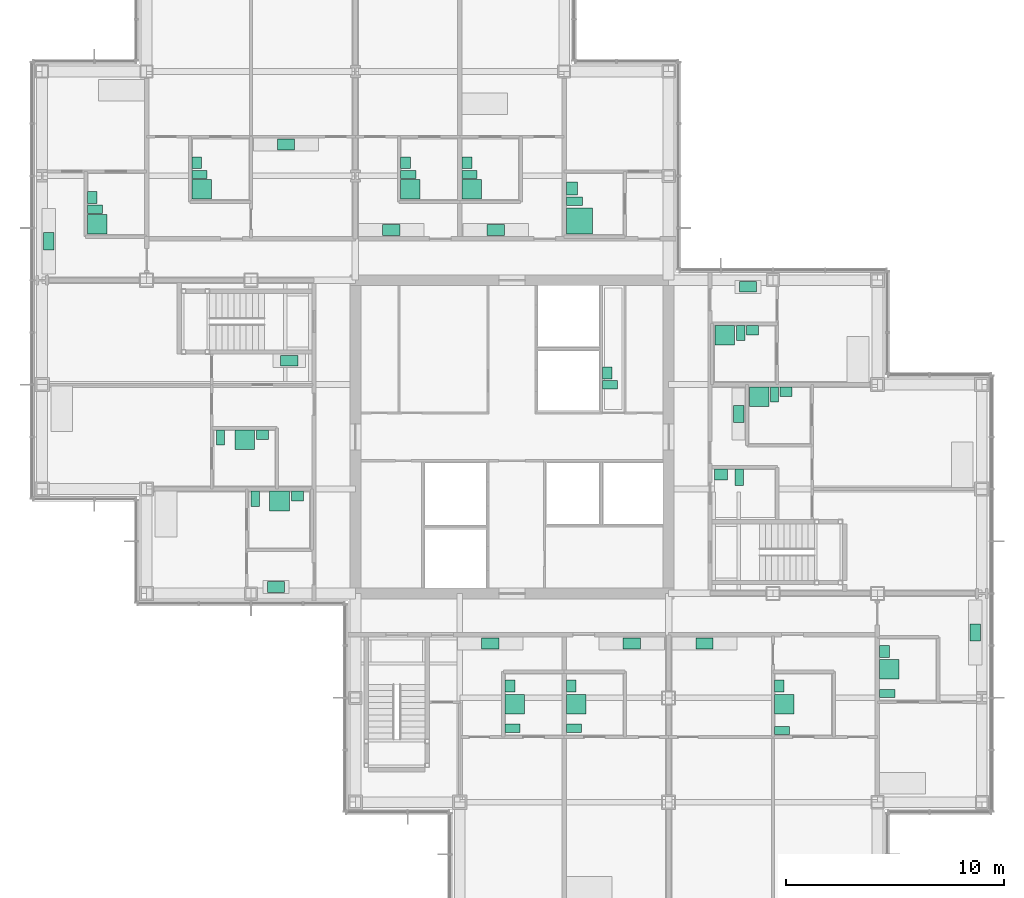
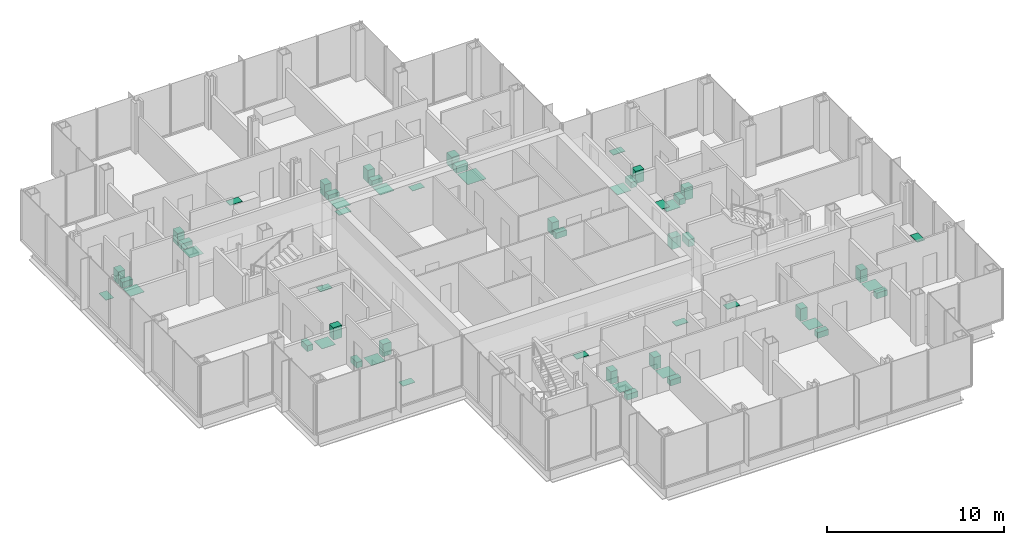
# One storey, part 18 of 19: 55 sanitary terminals.
"""IFC4 building model written with IfcOpenShell, lengths in metres."""

import ifcopenshell
import ifcopenshell.guid

model = None  # the IFC model being written
_history = None  # IfcOwnerHistory: only IFC2X3 demands one
_inside = {}  # id of a spatial element -> (the spatial element, [elements in it])
_under = {}  # id of a project, library or spatial element -> (it, [spatial elements below it])
_declared = {}  # id of a project -> (the project, [libraries it declares])
_typed = {}  # id of a type object -> (the type object, [elements of that type])
_made_of = {}  # id of a material, layer set ... -> (it, [elements and type objects made of it])


def new_model(schema):
    """Start an empty IFC model of exactly this schema.

    Asked for "IFC4X3", IfcOpenShell would pick the latest addendum, in which some entities
    have other attributes; the version numbers below select the first issue.
    IFC2X3 requires an IfcOwnerHistory on every rooted entity: one is made here for all.
    """
    global model, _history
    if schema == "IFC4X3":
        model = ifcopenshell.file(schema_version=(4, 3, 0, 0))
    else:
        model = ifcopenshell.file(schema=schema)
    _inside.clear()
    _under.clear()
    _declared.clear()
    _typed.clear()
    _made_of.clear()
    _history = None
    if model.schema == "IFC2X3":
        org = make("IfcOrganization", Name="unknown")
        user = make(
            "IfcPersonAndOrganization",
            ThePerson=make("IfcPerson", FamilyName="unknown"),
            TheOrganization=org,
        )
        app = make(
            "IfcApplication",
            ApplicationDeveloper=org,
            Version="unknown",
            ApplicationFullName="unknown",
            ApplicationIdentifier="unknown",
        )
        _history = make(
            "IfcOwnerHistory",
            OwningUser=user,
            OwningApplication=app,
            ChangeAction="ADDED",
            CreationDate=0,
        )
    return model


def make(cls, **values):
    """One entity of the class cls with the attributes given. An attribute that is None is left unset."""
    return model.create_entity(
        cls, **{name: value for name, value in values.items() if value is not None}
    )


def rooted(cls, **values):
    """An entity with a GlobalId (a new one), such as an element, a storey or a relation."""
    return make(cls, GlobalId=ifcopenshell.guid.new(), OwnerHistory=_history, **values)


def si_unit(unit_type, name, prefix=None):
    """IfcSIUnit, for example si_unit("LENGTHUNIT", "METRE", prefix="MILLI")."""
    return make("IfcSIUnit", UnitType=unit_type, Prefix=prefix, Name=name)


def assignment(units):
    """IfcUnitAssignment: the units of a project."""
    return None if units is None else make("IfcUnitAssignment", Units=units)


def point(xyz):
    """IfcCartesianPoint."""
    return None if xyz is None else make("IfcCartesianPoint", Coordinates=xyz)


def direction(xyz):
    """IfcDirection."""
    return None if xyz is None else make("IfcDirection", DirectionRatios=xyz)


def frame(location, z_axis=None, x_axis=None):
    """IfcAxis2Placement3D, a coordinate frame: its origin and axes. An axis left out is left unset."""
    return make(
        "IfcAxis2Placement3D",
        Location=point(location),
        Axis=direction(z_axis),
        RefDirection=direction(x_axis),
    )


def frame_2d(location, x_axis=None):
    """IfcAxis2Placement2D, a coordinate frame in the plane: its origin and x axis."""
    return make(
        "IfcAxis2Placement2D", Location=point(location), RefDirection=direction(x_axis)
    )


def origin():
    """The frame at (0, 0, 0) with its axes left unset."""
    return frame((0.0, 0.0, 0.0))


def origin_2d():
    """The frame at (0, 0) in the plane with its x axis left unset."""
    return frame_2d((0.0, 0.0))


def place(relative_to, where):
    """IfcLocalPlacement: puts the frame where relative to a parent placement (None: the world)."""
    return make(
        "IfcLocalPlacement", PlacementRelTo=relative_to, RelativePlacement=where
    )


def context(
    kind, dimensions, precision=None, world=None, true_north=None, identifier=None
):
    """IfcGeometricRepresentationContext, for example the 3D "Model" context."""
    return make(
        "IfcGeometricRepresentationContext",
        ContextIdentifier=identifier,
        ContextType=kind,
        CoordinateSpaceDimension=dimensions,
        Precision=precision,
        WorldCoordinateSystem=world,
        TrueNorth=true_north,
    )


def subcontext(parent, identifier, kind, view, scale=None):
    """IfcGeometricRepresentationSubContext, for example "Body" below "Model"."""
    return make(
        "IfcGeometricRepresentationSubContext",
        ContextIdentifier=identifier,
        ContextType=kind,
        ParentContext=parent,
        TargetScale=scale,
        TargetView=view,
    )


def project(units=None, contexts=None):
    """IfcProject with its units and contexts."""
    return rooted(
        "IfcProject",
        Name="project",
        RepresentationContexts=contexts,
        UnitsInContext=assignment(units),
    )


def spatial(cls, under=None, at=None, **own):
    """A site, building, storey or space (cls), placed at a placement, below another one or the project."""
    s = rooted(cls, ObjectPlacement=at, **own)
    if under is not None:
        _under.setdefault(under.id(), (under, []))[1].append(s)
    return s


def profile(cls, at=None, kind="AREA", **sizes):
    """A parametric profile (cls). Its sizes go by their IFC names, for example OverallWidth=200.0."""
    return make(cls, ProfileType=kind, Position=at, **sizes)


def rectangle(**sizes):
    """IfcRectangleProfileDef."""
    return profile("IfcRectangleProfileDef", **sizes)


def extrude(swept, where, along, depth):
    """IfcExtrudedAreaSolid: the profile swept, set in the frame where, extruded along a direction by depth."""
    return make(
        "IfcExtrudedAreaSolid",
        SweptArea=swept,
        Position=where,
        ExtrudedDirection=direction(along),
        Depth=depth,
    )


def shape(context_of_items, identifier, shape_type, items):
    """IfcShapeRepresentation: the items that make up one representation, for example the "Body"."""
    return make(
        "IfcShapeRepresentation",
        ContextOfItems=context_of_items,
        RepresentationIdentifier=identifier,
        RepresentationType=shape_type,
        Items=items,
    )


def material(Name=None, Category=None):
    """IfcMaterial."""
    return make("IfcMaterial", Name=Name, Category=Category)


def made_of(thing, what):
    """Note that an element or type object is made of a material, layer set ...; save() writes the relation."""
    if what is not None:
        _made_of.setdefault(what.id(), (what, []))[1].append(thing)
    return thing


def type_object(cls, material=None, **own):
    """A type object (cls), such as IfcWallType, which elements share."""
    return made_of(rooted(cls, **own), material)


def element(
    cls,
    number,
    at=None,
    inside=None,
    cuts=None,
    type_object=None,
    material=None,
    context=None,
    identifier="Body",
    shape_type=None,
    held_by="IfcProductDefinitionShape",
    body=None,
    shapes=None,
    **own,
):
    """One element of the class cls, such as IfcWall. Its Tag is "e" and its number.

    at: its placement. inside: the storey or other place that contains it. cuts: it is an
    opening in that element (IfcRelVoidsElement). A single representation is given by context,
    identifier, shape_type and body (its items); several are given by shapes. held_by: the class
    of the entity that holds the representations. save() writes the other relations.
    """
    e = rooted(cls, Tag="e%d" % number, ObjectPlacement=at, **own)
    if body is not None:
        shapes = [shape(context, identifier, shape_type, body)]
    if shapes is not None:
        e.Representation = make(held_by, Representations=shapes)
    if inside is not None:
        _inside.setdefault(inside.id(), (inside, []))[1].append(e)
    if cuts is not None:
        rooted(
            "IfcRelVoidsElement", RelatingBuildingElement=cuts, RelatedOpeningElement=e
        )
    if type_object is not None:
        _typed.setdefault(type_object.id(), (type_object, []))[1].append(e)
    return made_of(e, material)


def aggregate(whole, parts):
    """IfcRelAggregates: a whole, such as a stair, and the parts it consists of."""
    return rooted("IfcRelAggregates", RelatingObject=whole, RelatedObjects=parts)


def save(model, path):
    """Write the relations noted so far, then the file.

    IfcRelAggregates (storeys below a building ...), IfcRelContainedInSpatialStructure (elements
    in a storey), IfcRelDefinesByType, IfcRelAssociatesMaterial and IfcRelDeclares: one each for
    every whole, place, type object, material and project.
    """
    for whole, parts in _under.values():
        aggregate(whole, parts)
    for where, things in _inside.values():
        rooted(
            "IfcRelContainedInSpatialStructure",
            RelatedElements=things,
            RelatingStructure=where,
        )
    for kind, things in _typed.values():
        rooted("IfcRelDefinesByType", RelatedObjects=things, RelatingType=kind)
    for what, things in _made_of.values():
        rooted("IfcRelAssociatesMaterial", RelatedObjects=things, RelatingMaterial=what)
    for by, libraries in _declared.values():
        rooted("IfcRelDeclares", RelatingContext=by, RelatedDefinitions=libraries)
    model.write(path)


model = new_model("IFC4")

# Units and contexts
model_context = context("Model", 3, precision=1e-05, world=origin(), true_north=direction((0.0, 1.0)))
body_context = subcontext(model_context, "Body", "Model", "MODEL_VIEW")
ifc_project = project(units=[si_unit("LENGTHUNIT", "METRE"), si_unit("AREAUNIT", "SQUARE_METRE"), si_unit("VOLUMEUNIT", "CUBIC_METRE"), si_unit("PLANEANGLEUNIT", "RADIAN"), si_unit("MASSUNIT", "GRAM", prefix="KILO")], contexts=[model_context])

# Site, building, storey
site_placement = place(None, origin())
site = spatial("IfcSite", under=ifc_project, at=site_placement, CompositionType="ELEMENT")
building_placement = place(site_placement, origin())
building = spatial("IfcBuilding", under=site, at=building_placement, Name="Kvirike Care Tower", CompositionType="ELEMENT")
storey_placement = place(building_placement, frame((0.0, 0.0, 98.0)))
storey = spatial("IfcBuildingStorey", under=building, at=storey_placement, Name="L26", CompositionType="ELEMENT", Elevation=98.0)

# Sanitary terminals
ifc_material_1 = material(Name="Vitreous china", Category="ceramic")
sanitary_terminal_type_1 = type_object("IfcSanitaryTerminalType", Name="ACCESSIBLE WASH BASIN 600 x 500", PredefinedType="WASHHANDBASIN", material=ifc_material_1)
for number, where, z_axis, x_axis, name in (
    (1, (24.35205078125, 47.425048828125, 0.02001953125), (0.0, 0.0, 1.0), (0.0, 1.0, 0.0), "Accessible wash basin L26-031"),
    (2, (31.199951171875, 34.27294921875, 0.02001953125), (0.0, 0.0, 1.0), (1.0, 0.0, 0.0), "Accessible wash basin L26-052"),
):
    element("IfcSanitaryTerminal", number, at=place(storey_placement, frame(where, z_axis=z_axis, x_axis=x_axis)), inside=storey, type_object=sanitary_terminal_type_1, Name=name, PredefinedType="WASHHANDBASIN", context=body_context, shape_type="SweptSolid", body=[
        extrude(rectangle(XDim=0.60009765625, YDim=0.5, at=origin_2d()), origin(), (0.0, 0.0, 1.0), 0.800048828125),
    ])
ifc_material_2 = material(Name="Vitreous china", Category="ceramic")
sanitary_terminal_type_2 = type_object("IfcSanitaryTerminalType", Name="ACCESSIBLE WC PAN 400 x 750", PredefinedType="TOILETPAN", material=ifc_material_2)
for number, where, z_axis, x_axis, name in (
    (3, (24.47705078125, 46.824951171875, 0.02001953125), (0.0, 0.0, 1.0), (0.0, 1.0, 0.0), "Accessible WC pan L26-031"),
    (4, (32.050048828125, 34.14794921875, 0.02001953125), (0.0, 0.0, 1.0), (1.0, 0.0, 0.0), "Accessible WC pan L26-052"),
):
    element("IfcSanitaryTerminal", number, at=place(storey_placement, frame(where, z_axis=z_axis, x_axis=x_axis)), inside=storey, type_object=sanitary_terminal_type_2, Name=name, PredefinedType="TOILETPAN", context=body_context, shape_type="SweptSolid", body=[
        extrude(rectangle(XDim=0.39990234375, YDim=0.75, at=origin_2d()), origin(), (0.0, 0.0, 1.0), 0.47998046875),
    ])
ifc_material_3 = material(Name="Stainless steel", Category="steel")
sanitary_terminal_type_3 = type_object("IfcSanitaryTerminalType", Name="KITCHEN SINK 800 x 500", PredefinedType="SINK", material=ifc_material_3)
for number, where, z_axis, x_axis, name in (
    (5, (11.360107421875, 39.498046875, 0.89990234375), (0.0, 0.0, 1.0), (1.0, 0.0, 0.0), "Kitchen sink L26-006"),
    (6, (10.75, 29.10205078125, 0.89990234375), (0.0, 0.0, 1.0), (-1.0, 0.0, 0.0), "Kitchen sink L26-010"),
    (7, (11.2099609375, 49.43798828125, 0.89990234375), (0.0, 0.0, 1.0), (1.0, 0.0, 0.0), "Kitchen sink L26-015"),
    (8, (0.302001953125, 44.9970703125, 0.89990234375), (0.0, 0.0, 1.0), (0.0, 1.0, 0.0), "Kitchen sink L26-019"),
    (9, (20.60009765625, 26.498046875, 0.89990234375), (0.0, 0.0, 1.0), (1.0, 0.0, 0.0), "Kitchen sink L26-025"),
    (10, (27.10009765625, 26.498046875, 0.89990234375), (0.0, 0.0, 1.0), (1.0, 0.0, 0.0), "Kitchen sink L26-028"),
    (11, (20.85009765625, 45.501953125, 0.89990234375), (0.0, 0.0, 1.0), (-1.0, 0.0, 0.0), "Kitchen sink L26-035"),
    (12, (16.050048828125, 45.501953125, 0.89990234375), (0.0, 0.0, 1.0), (-1.0, 0.0, 0.0), "Kitchen sink L26-038"),
    (13, (30.449951171875, 26.498046875, 0.89990234375), (0.0, 0.0, 1.0), (1.0, 0.0, 0.0), "Kitchen sink L26-043"),
    (14, (42.89794921875, 27.0029296875, 0.89990234375), (0.0, 0.0, 1.0), (0.0, -1.0, 0.0), "Kitchen sink L26-047"),
    (15, (32.02294921875, 37.050048828125, 0.89990234375), (0.0, 0.0, 1.0), (0.0, -1.0, 0.0), "Kitchen sink L26-054"),
    (16, (32.449951171875, 42.89794921875, 0.89990234375), (0.0, 0.0, 1.0), (1.0, 0.0, 0.0), "Kitchen sink L26-057"),
):
    element("IfcSanitaryTerminal", number, at=place(storey_placement, frame(where, z_axis=z_axis, x_axis=x_axis)), inside=storey, type_object=sanitary_terminal_type_3, Name=name, PredefinedType="SINK", context=body_context, shape_type="SweptSolid", body=[
        extrude(rectangle(XDim=0.800048828125, YDim=0.5, at=origin_2d()), origin(), (0.0, 0.0, 1.0), 0.030029296875),
    ])
ifc_material_4 = material(Name="Stainless steel", Category="steel")
sanitary_terminal_type_4 = type_object("IfcSanitaryTerminalType", Name="LEVEL-ACCESS SHOWER 1200 x 1200", PredefinedType="SHOWER", material=ifc_material_4)
sanitary_terminal_placement = place(storey_placement, frame((24.701904296875, 45.925048828125, 0.02001953125), z_axis=(0.0, 0.0, 1.0), x_axis=(0.0, 1.0, 0.0)))
element("IfcSanitaryTerminal", 17, at=sanitary_terminal_placement, inside=storey, type_object=sanitary_terminal_type_4, Name="Level-access shower L26-031", PredefinedType="SHOWER", context=body_context, shape_type="SweptSolid", body=[
    extrude(rectangle(XDim=1.199951171875, YDim=1.199951171875, at=origin_2d()), origin(), (0.0, 0.0, 1.0), 0.02001953125),
])
ifc_material_5 = material(Name="Stainless steel", Category="steel")
sanitary_terminal_type_5 = type_object("IfcSanitaryTerminalType", Name="LEVEL-ACCESS SHOWER 900 x 900", PredefinedType="SHOWER", material=ifc_material_5)
for number, where, z_axis, x_axis, name in (
    (18, (9.31005859375, 35.873046875, 0.02001953125), (0.0, 0.0, 1.0), (1.0, 0.0, 0.0), "Level-access shower L26-005"),
    (19, (10.909912109375, 33.048095703125, 0.02001953125), (0.0, 0.0, 1.0), (1.0, 0.0, 0.0), "Level-access shower L26-009"),
    (20, (7.326904296875, 47.375, 0.02001953125), (0.0, 0.0, 1.0), (0.0, 1.0, 0.0), "Level-access shower L26-014"),
    (21, (2.527099609375, 45.77490234375, 0.02001953125), (0.0, 0.0, 1.0), (0.0, 1.0, 0.0), "Level-access shower L26-018"),
    (22, (21.72705078125, 23.7099609375, 0.02001953125), (0.0, 0.0, 1.0), (0.0, 1.0, 0.0), "Level-access shower L26-024"),
    (23, (24.552001953125, 23.7099609375, 0.02001953125), (0.0, 0.0, 1.0), (0.0, 1.0, 0.0), "Level-access shower L26-027"),
    (24, (19.751953125, 47.375, 0.02001953125), (0.0, 0.0, 1.0), (0.0, 1.0, 0.0), "Level-access shower L26-034"),
    (25, (16.927001953125, 47.375, 0.02001953125), (0.0, 0.0, 1.0), (0.0, 1.0, 0.0), "Level-access shower L26-037"),
    (26, (34.112060546875, 23.7099609375, 0.02001953125), (0.0, 0.0, 1.0), (0.0, 1.0, 0.0), "Level-access shower L26-042"),
    (27, (38.951904296875, 25.31005859375, 0.02001953125), (0.0, 0.0, 1.0), (0.0, 1.0, 0.0), "Level-access shower L26-046"),
    (28, (32.97509765625, 37.847900390625, 0.02001953125), (0.0, 0.0, 1.0), (1.0, 0.0, 0.0), "Level-access shower L26-053"),
    (29, (31.375, 40.673095703125, 0.02001953125), (0.0, 0.0, 1.0), (1.0, 0.0, 0.0), "Level-access shower L26-056"),
):
    element("IfcSanitaryTerminal", number, at=place(storey_placement, frame(where, z_axis=z_axis, x_axis=x_axis)), inside=storey, type_object=sanitary_terminal_type_5, Name=name, PredefinedType="SHOWER", context=body_context, shape_type="SweptSolid", body=[
        extrude(rectangle(XDim=0.89990234375, YDim=0.89990234375, at=origin_2d()), origin(), (0.0, 0.0, 1.0), 0.02001953125),
    ])
ifc_material_6 = material(Name="Vitreous china", Category="ceramic")
sanitary_terminal_type_6 = type_object("IfcSanitaryTerminalType", Name="WASH BASIN 550 x 450", PredefinedType="WASHHANDBASIN", material=ifc_material_6)
for number, where, z_axis, x_axis, name in (
    (30, (10.135009765625, 36.097900390625, 0.02001953125), (0.0, 0.0, 1.0), (1.0, 0.0, 0.0), "Wash basin L26-005"),
    (31, (11.735107421875, 33.27294921875, 0.02001953125), (0.0, 0.0, 1.0), (1.0, 0.0, 0.0), "Wash basin L26-009"),
    (32, (7.10205078125, 48.60009765625, 0.02001953125), (0.0, 0.0, 1.0), (0.0, 1.0, 0.0), "Wash basin L26-014"),
    (33, (2.302001953125, 47.0, 0.02001953125), (0.0, 0.0, 1.0), (0.0, 1.0, 0.0), "Wash basin L26-018"),
    (34, (21.501953125, 24.534912109375, 0.02001953125), (0.0, 0.0, 1.0), (0.0, 1.0, 0.0), "Wash basin L26-024"),
    (35, (24.326904296875, 24.534912109375, 0.02001953125), (0.0, 0.0, 1.0), (0.0, 1.0, 0.0), "Wash basin L26-027"),
    (36, (19.527099609375, 48.60009765625, 0.02001953125), (0.0, 0.0, 1.0), (0.0, 1.0, 0.0), "Wash basin L26-034"),
    (37, (16.701904296875, 48.60009765625, 0.02001953125), (0.0, 0.0, 1.0), (0.0, 1.0, 0.0), "Wash basin L26-037"),
    (38, (33.886962890625, 24.534912109375, 0.02001953125), (0.0, 0.0, 1.0), (0.0, 1.0, 0.0), "Wash basin L26-042"),
    (39, (38.72705078125, 26.135009765625, 0.02001953125), (0.0, 0.0, 1.0), (0.0, 1.0, 0.0), "Wash basin L26-046"),
    (40, (34.199951171875, 38.072998046875, 0.02001953125), (0.0, 0.0, 1.0), (1.0, 0.0, 0.0), "Wash basin L26-053"),
    (41, (32.64990234375, 40.89794921875, 0.02001953125), (0.0, 0.0, 1.0), (1.0, 0.0, 0.0), "Wash basin L26-056"),
    (42, (25.97705078125, 38.925048828125, 0.02001953125), (0.0, 0.0, 1.0), (0.0, 1.0, 0.0), "Wash basin L26-064"),
):
    element("IfcSanitaryTerminal", number, at=place(storey_placement, frame(where, z_axis=z_axis, x_axis=x_axis)), inside=storey, type_object=sanitary_terminal_type_6, Name=name, PredefinedType="WASHHANDBASIN", context=body_context, shape_type="SweptSolid", body=[
        extrude(rectangle(XDim=0.550048828125, YDim=0.449951171875, at=origin_2d()), origin(), (0.0, 0.0, 1.0), 0.85009765625),
    ])
ifc_material_7 = material(Name="Vitreous china", Category="ceramic")
sanitary_terminal_type_7 = type_object("IfcSanitaryTerminalType", Name="WC PAN 380 x 700", PredefinedType="TOILETPAN", material=ifc_material_7)
for number, where, z_axis, x_axis, name in (
    (43, (8.199951171875, 35.972900390625, 0.02001953125), (0.0, 0.0, 1.0), (1.0, 0.0, 0.0), "WC pan L26-005"),
    (44, (9.800048828125, 33.14794921875, 0.02001953125), (0.0, 0.0, 1.0), (1.0, 0.0, 0.0), "WC pan L26-009"),
    (45, (7.22705078125, 48.06494140625, 0.02001953125), (0.0, 0.0, 1.0), (0.0, 1.0, 0.0), "WC pan L26-014"),
    (46, (2.427001953125, 46.465087890625, 0.02001953125), (0.0, 0.0, 1.0), (0.0, 1.0, 0.0), "WC pan L26-018"),
    (47, (21.626953125, 22.60009765625, 0.02001953125), (0.0, 0.0, 1.0), (0.0, 1.0, 0.0), "WC pan L26-024"),
    (48, (24.451904296875, 22.60009765625, 0.02001953125), (0.0, 0.0, 1.0), (0.0, 1.0, 0.0), "WC pan L26-027"),
    (49, (19.652099609375, 48.06494140625, 0.02001953125), (0.0, 0.0, 1.0), (0.0, 1.0, 0.0), "WC pan L26-034"),
    (50, (16.826904296875, 48.06494140625, 0.02001953125), (0.0, 0.0, 1.0), (0.0, 1.0, 0.0), "WC pan L26-037"),
    (51, (34.011962890625, 22.5, 0.02001953125), (0.0, 0.0, 1.0), (0.0, 1.0, 0.0), "WC pan L26-042"),
    (52, (38.85205078125, 24.199951171875, 0.02001953125), (0.0, 0.0, 1.0), (0.0, 1.0, 0.0), "WC pan L26-046"),
    (53, (33.6650390625, 37.947998046875, 0.02001953125), (0.0, 0.0, 1.0), (1.0, 0.0, 0.0), "WC pan L26-053"),
    (54, (32.114990234375, 40.77294921875, 0.02001953125), (0.0, 0.0, 1.0), (1.0, 0.0, 0.0), "WC pan L26-056"),
    (55, (26.10205078125, 38.389892578125, 0.02001953125), (0.0, 0.0, 1.0), (0.0, 1.0, 0.0), "WC pan L26-064"),
):
    element("IfcSanitaryTerminal", number, at=place(storey_placement, frame(where, z_axis=z_axis, x_axis=x_axis)), inside=storey, type_object=sanitary_terminal_type_7, Name=name, PredefinedType="TOILETPAN", context=body_context, shape_type="SweptSolid", body=[
        extrude(rectangle(XDim=0.3798828125, YDim=0.699951171875, at=origin_2d()), origin(), (0.0, 0.0, 1.0), 0.39990234375),
    ])

save(model, "model.ifc")
